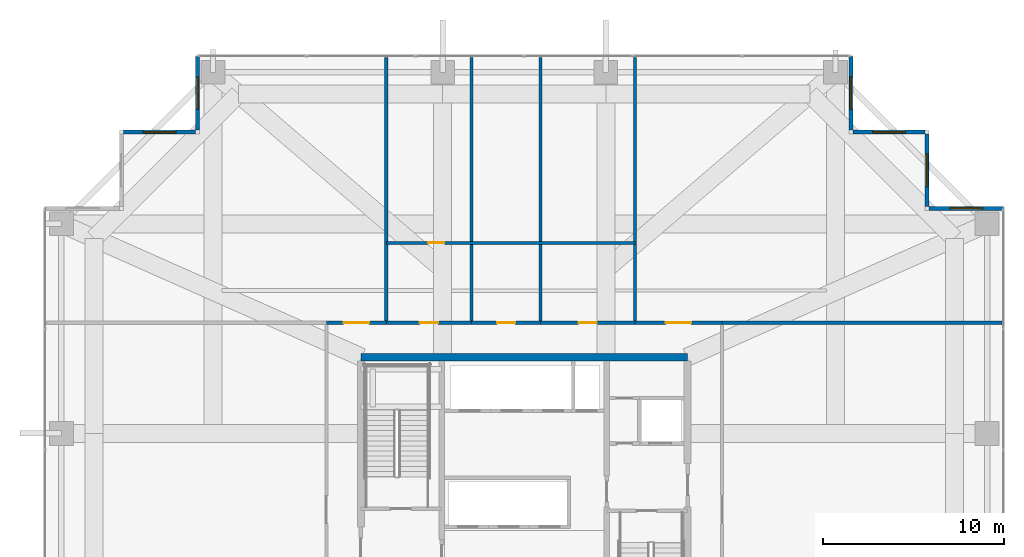
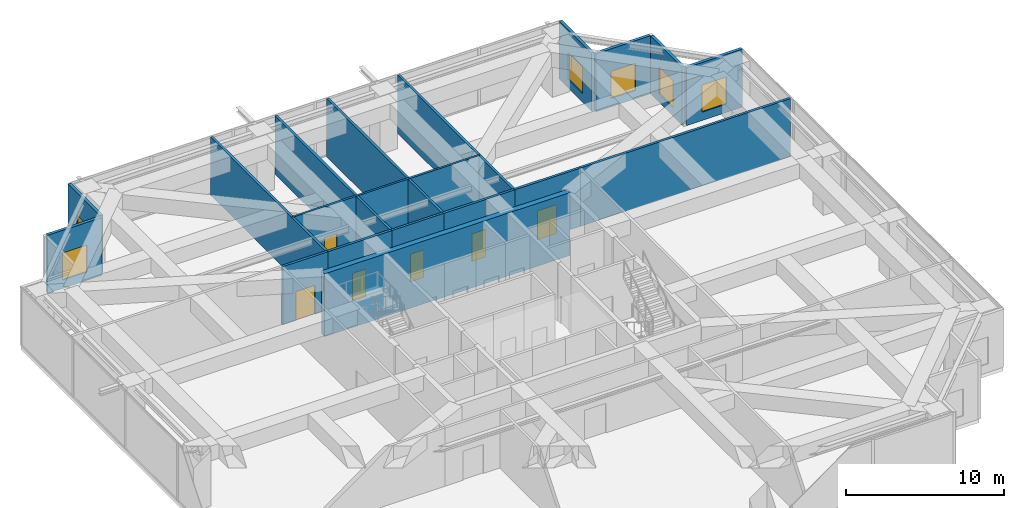
# One storey, part 30 of 35: 18 walls, 6 doors, 6 windows, 12 openings.
"""IFC4 building model written with IfcOpenShell, lengths in metres."""

from ifc_helpers import new_model, si_unit, direction, frame, frame_2d, origin, place, context, subcontext, project, spatial, rectangle, extrude, source, transform, mapped, material, layer, layer_set, type_object, element, fill, save


model = new_model("IFC4")

# Units and contexts
model_context = context("Model", 3, precision=1e-05, world=origin(), true_north=direction((0.0, 1.0)))
body_context = subcontext(model_context, "Body", "Model", "MODEL_VIEW")
ifc_project = project(units=[si_unit("LENGTHUNIT", "METRE"), si_unit("AREAUNIT", "SQUARE_METRE"), si_unit("VOLUMEUNIT", "CUBIC_METRE"), si_unit("PLANEANGLEUNIT", "RADIAN"), si_unit("MASSUNIT", "GRAM", prefix="KILO")], contexts=[model_context])

# Site, building, storey
site_placement = place(None, origin())
site = spatial("IfcSite", under=ifc_project, at=site_placement, CompositionType="ELEMENT")
building_placement = place(site_placement, origin())
building = spatial("IfcBuilding", under=site, at=building_placement, Name="Serunith Strait Residences", CompositionType="ELEMENT")
storey_placement = place(building_placement, frame((0.0, 0.0, 115.199951171875)))
storey = spatial("IfcBuildingStorey", under=building, at=storey_placement, Name="L28", CompositionType="ELEMENT", Elevation=115.199951171875)

# Wall, opening, window
ifc_material_1 = material(Name="Pale-Champagne Aluminium Insulated Panel", Category="aluminium")
ifc_layer_1 = layer(ifc_material_1, 0.219970703125, Name="Pale-Champagne Aluminium Insulated Panel")
ifc_layer_set_1 = layer_set([ifc_layer_1], Name="Pale-Champagne Aluminium Insulated Panel")
wall_type_1 = type_object("IfcWallType", Name="EW-ALUM-220", PredefinedType="ELEMENTEDWALL", material=ifc_layer_set_1)
wall_1_placement = place(storey_placement, frame((58.800048828125, 41.800048828125, 0.0), z_axis=(0.0, 0.0, 1.0), x_axis=(-1.0, 0.0, 0.0)))
wall_1 = element("IfcWall", 1, at=wall_1_placement, inside=storey, type_object=wall_type_1, Name="L28 Girih Serrated Corner Wall 07", PredefinedType="ELEMENTEDWALL", context=body_context, shape_type="SweptSolid", body=[
    extrude(rectangle(XDim=4.090087890625, YDim=0.219970703125, at=frame_2d((2.044921875, 0.0))), origin(), (0.0, 0.0, 1.0), 4.4951171875),
])
opening_1_placement = place(wall_1_placement, frame((1.14501953125, 0.0, 0.64990234375)))
opening_1 = element("IfcOpeningElement", 2, at=opening_1_placement, cuts=wall_1, Name="Opening W-01", PredefinedType="OPENING", context=body_context, shape_type="SweptSolid", body=[
    extrude(rectangle(XDim=1.800048828125, YDim=2.10009765625, at=frame_2d((0.89990234375, 1.050048828125))), frame((0.0, 0.1201171875, 0.0), z_axis=(0.0, -1.0, 0.0), x_axis=(1.0, 0.0, 0.0)), (0.0, 0.0, 1.0), 0.239990234375),
])
ifc_material_2 = material(Name="Ceramic-Fritted Operable Aluminium Window Glass", Category="aluminium")
window_type = type_object("IfcWindowType", Name="WIN-C1", PartitioningType="DOUBLE_PANEL_VERTICAL", PredefinedType="WINDOW", material=ifc_material_2)
shared_shape_1 = source(origin(), body_context, "Body", "SweptSolid", [
    extrude(rectangle(XDim=1.800048828125, YDim=2.10009765625, at=frame_2d((0.89990234375, 1.050048828125))), frame((0.0, 0.030029296875, 0.0), z_axis=(0.0, -1.0, 0.0), x_axis=(1.0, 0.0, 0.0)), (0.0, 0.0, 1.0), 0.06005859375),
])
window_1_placement = place(opening_1_placement, origin())
window_1 = element("IfcWindow", 3, at=window_1_placement, inside=storey, type_object=window_type, Name="L28 Corner Operable Fritted Window 07", OverallHeight=2.10009765625, OverallWidth=1.800048828125, PartitioningType="SINGLE_PANEL", PredefinedType="WINDOW", context=body_context, shape_type="MappedRepresentation", body=[
    mapped(shared_shape_1, transform((0.0, 0.0, 0.0), scale=1.0)),
])
fill(opening_1, window_1)

wall_2_placement = place(storey_placement, frame((54.60009765625, 41.909912109375, 0.0), z_axis=(0.0, 0.0, 1.0), x_axis=(0.0, 1.0, 0.0)))
wall_2 = element("IfcWall", 4, at=wall_2_placement, inside=storey, type_object=wall_type_1, Name="L28 Girih Serrated Corner Wall 08", PredefinedType="ELEMENTEDWALL", context=body_context, shape_type="SweptSolid", body=[
    extrude(rectangle(XDim=3.97998046875, YDim=0.219970703125, at=frame_2d((1.989990234375, 0.0))), origin(), (0.0, 0.0, 1.0), 4.4951171875),
])
opening_2_placement = place(wall_2_placement, frame((1.090087890625, 0.0, 0.64990234375)))
opening_2 = element("IfcOpeningElement", 5, at=opening_2_placement, cuts=wall_2, Name="Opening W-01", PredefinedType="OPENING", context=body_context, shape_type="SweptSolid", body=[
    extrude(rectangle(XDim=1.800048828125, YDim=2.10009765625, at=frame_2d((0.89990234375, 1.050048828125))), frame((0.0, 0.1201171875, 0.0), z_axis=(0.0, -1.0, 0.0), x_axis=(1.0, 0.0, 0.0)), (0.0, 0.0, 1.0), 0.239990234375),
])
window_2_placement = place(opening_2_placement, origin())
window_2 = element("IfcWindow", 6, at=window_2_placement, inside=storey, type_object=window_type, Name="L28 Corner Operable Fritted Window 08", OverallHeight=2.10009765625, OverallWidth=1.800048828125, PartitioningType="SINGLE_PANEL", PredefinedType="WINDOW", context=body_context, shape_type="MappedRepresentation", body=[
    mapped(shared_shape_1, transform((0.0, 0.0, 0.0), scale=1.0)),
])
fill(opening_2, window_2)

wall_3_placement = place(storey_placement, frame((54.489990234375, 46.0, 0.0), z_axis=(0.0, 0.0, 1.0), x_axis=(-1.0, 0.0, 0.0)))
wall_3 = element("IfcWall", 7, at=wall_3_placement, inside=storey, type_object=wall_type_1, Name="L28 Girih Serrated Corner Wall 09", PredefinedType="ELEMENTEDWALL", context=body_context, shape_type="SweptSolid", body=[
    extrude(rectangle(XDim=3.97998046875, YDim=0.219970703125, at=frame_2d((1.989990234375, 0.0))), origin(), (0.0, 0.0, 1.0), 4.4951171875),
])
opening_3_placement = place(wall_3_placement, frame((1.090087890625, 0.0, 0.64990234375)))
opening_3 = element("IfcOpeningElement", 8, at=opening_3_placement, cuts=wall_3, Name="Opening W-01", PredefinedType="OPENING", context=body_context, shape_type="SweptSolid", body=[
    extrude(rectangle(XDim=1.800048828125, YDim=2.10009765625, at=frame_2d((0.89990234375, 1.050048828125))), frame((0.0, 0.1201171875, 0.0), z_axis=(0.0, -1.0, 0.0), x_axis=(1.0, 0.0, 0.0)), (0.0, 0.0, 1.0), 0.239990234375),
])
window_3_placement = place(opening_3_placement, origin())
window_3 = element("IfcWindow", 9, at=window_3_placement, inside=storey, type_object=window_type, Name="L28 Corner Operable Fritted Window 09", OverallHeight=2.10009765625, OverallWidth=1.800048828125, PartitioningType="SINGLE_PANEL", PredefinedType="WINDOW", context=body_context, shape_type="MappedRepresentation", body=[
    mapped(shared_shape_1, transform((0.0, 0.0, 0.0), scale=1.0)),
])
fill(opening_3, window_3)

wall_4_placement = place(storey_placement, frame((50.39990234375, 46.110107421875, 0.0), z_axis=(0.0, 0.0, 1.0), x_axis=(0.0, 1.0, 0.0)))
wall_4 = element("IfcWall", 10, at=wall_4_placement, inside=storey, type_object=wall_type_1, Name="L28 Girih Serrated Corner Wall 10", PredefinedType="ELEMENTEDWALL", context=body_context, shape_type="SweptSolid", body=[
    extrude(rectangle(XDim=4.08984375, YDim=0.219970703125, at=frame_2d((2.044921875, 0.0))), origin(), (0.0, 0.0, 1.0), 4.4951171875),
])
opening_4_placement = place(wall_4_placement, frame((1.14501953125, 0.0, 0.64990234375)))
opening_4 = element("IfcOpeningElement", 11, at=opening_4_placement, cuts=wall_4, Name="Opening W-01", PredefinedType="OPENING", context=body_context, shape_type="SweptSolid", body=[
    extrude(rectangle(XDim=1.800048828125, YDim=2.10009765625, at=frame_2d((0.89990234375, 1.050048828125))), frame((0.0, 0.1201171875, 0.0), z_axis=(0.0, -1.0, 0.0), x_axis=(1.0, 0.0, 0.0)), (0.0, 0.0, 1.0), 0.239990234375),
])
window_4_placement = place(opening_4_placement, origin())
window_4 = element("IfcWindow", 12, at=window_4_placement, inside=storey, type_object=window_type, Name="L28 Corner Operable Fritted Window 10", OverallHeight=2.10009765625, OverallWidth=1.800048828125, PartitioningType="SINGLE_PANEL", PredefinedType="WINDOW", context=body_context, shape_type="MappedRepresentation", body=[
    mapped(shared_shape_1, transform((0.0, 0.0, 0.0), scale=1.0)),
])
fill(opening_4, window_4)

wall_5_placement = place(storey_placement, frame((14.39990234375, 50.199951171875, 0.0), z_axis=(0.0, 0.0, 1.0), x_axis=(0.0, -1.0, 0.0)))
wall_5 = element("IfcWall", 13, at=wall_5_placement, inside=storey, type_object=wall_type_1, Name="L28 Girih Serrated Corner Wall 12", PredefinedType="ELEMENTEDWALL", context=body_context, shape_type="SweptSolid", body=[
    extrude(rectangle(XDim=4.08984375, YDim=0.219970703125, at=frame_2d((2.044921875, 0.0))), origin(), (0.0, 0.0, 1.0), 4.4951171875),
])
opening_5_placement = place(wall_5_placement, frame((1.14501953125, 0.0, 0.64990234375)))
opening_5 = element("IfcOpeningElement", 14, at=opening_5_placement, cuts=wall_5, Name="Opening W-01", PredefinedType="OPENING", context=body_context, shape_type="SweptSolid", body=[
    extrude(rectangle(XDim=1.800048828125, YDim=2.10009765625, at=frame_2d((0.89990234375, 1.050048828125))), frame((0.0, 0.1201171875, 0.0), z_axis=(0.0, -1.0, 0.0), x_axis=(1.0, 0.0, 0.0)), (0.0, 0.0, 1.0), 0.239990234375),
])
window_5_placement = place(opening_5_placement, origin())
window_5 = element("IfcWindow", 15, at=window_5_placement, inside=storey, type_object=window_type, Name="L28 Corner Operable Fritted Window 12", OverallHeight=2.10009765625, OverallWidth=1.800048828125, PartitioningType="SINGLE_PANEL", PredefinedType="WINDOW", context=body_context, shape_type="MappedRepresentation", body=[
    mapped(shared_shape_1, transform((0.0, 0.0, 0.0), scale=1.0)),
])
fill(opening_5, window_5)

wall_6_placement = place(storey_placement, frame((14.2900390625, 46.0, 0.0), z_axis=(0.0, 0.0, 1.0), x_axis=(-1.0, 0.0, 0.0)))
wall_6 = element("IfcWall", 16, at=wall_6_placement, inside=storey, type_object=wall_type_1, Name="L28 Girih Serrated Corner Wall 13", PredefinedType="ELEMENTEDWALL", context=body_context, shape_type="SweptSolid", body=[
    extrude(rectangle(XDim=3.97998046875, YDim=0.219970703125, at=frame_2d((1.989990234375, 0.0))), origin(), (0.0, 0.0, 1.0), 4.4951171875),
])
opening_6_placement = place(wall_6_placement, frame((1.090087890625, 0.0, 0.64990234375)))
opening_6 = element("IfcOpeningElement", 17, at=opening_6_placement, cuts=wall_6, Name="Opening W-01", PredefinedType="OPENING", context=body_context, shape_type="SweptSolid", body=[
    extrude(rectangle(XDim=1.800048828125, YDim=2.10009765625, at=frame_2d((0.89990234375, 1.050048828125))), frame((0.0, 0.1201171875, 0.0), z_axis=(0.0, -1.0, 0.0), x_axis=(1.0, 0.0, 0.0)), (0.0, 0.0, 1.0), 0.239990234375),
])
window_6_placement = place(opening_6_placement, origin())
window_6 = element("IfcWindow", 18, at=window_6_placement, inside=storey, type_object=window_type, Name="L28 Corner Operable Fritted Window 13", OverallHeight=2.10009765625, OverallWidth=1.800048828125, PartitioningType="SINGLE_PANEL", PredefinedType="WINDOW", context=body_context, shape_type="MappedRepresentation", body=[
    mapped(shared_shape_1, transform((0.0, 0.0, 0.0), scale=1.0)),
])
fill(opening_6, window_6)

# Wall, opening, door
ifc_material_3 = material(Name="Fire-rated masonry service closet wall", Category="masonry")
ifc_layer_2 = layer(ifc_material_3, 0.14990234375, Name="Fire-rated masonry service closet wall")
ifc_layer_set_2 = layer_set([ifc_layer_2], Name="Fire-rated masonry service closet wall")
wall_type_2 = type_object("IfcWallType", Name="IW-BOH-150", PredefinedType="PARTITIONING", material=ifc_layer_set_2)
wall_7_placement = place(storey_placement, frame((24.800048828125, 39.89990234375, 0.0), z_axis=(0.0, 0.0, 1.0), x_axis=(1.0, 0.0, 0.0)))
wall_7 = element("IfcWall", 19, at=wall_7_placement, inside=storey, type_object=wall_type_2, Name="L28 Partition Wall 034", PredefinedType="PARTITIONING", context=body_context, shape_type="SweptSolid", body=[
    extrude(rectangle(XDim=13.699951171875, YDim=0.14990234375, at=frame_2d((6.85009765625, 0.0))), origin(), (0.0, 0.0, 1.0), 4.510009765625),
])
opening_7_placement = place(wall_7_placement, frame((2.303955078125, 0.0, 0.0)))
opening_7 = element("IfcOpeningElement", 20, at=opening_7_placement, cuts=wall_7, Name="Opening FD-900", PredefinedType="OPENING", context=body_context, shape_type="SweptSolid", body=[
    extrude(rectangle(XDim=0.89990234375, YDim=2.10009765625, at=frame_2d((0.449951171875, 1.050048828125))), frame((0.0, 0.0849609375, 0.0), z_axis=(0.0, -1.0, 0.0), x_axis=(1.0, 0.0, 0.0)), (0.0, 0.0, 1.0), 0.169921875),
])
ifc_material_4 = material(Name="Powder-coated steel riser door", Category="steel")
door_type_1 = type_object("IfcDoorType", Name="FD-BOH-900", OperationType="NOTDEFINED", PredefinedType="DOOR", material=ifc_material_4)
shared_shape_2 = source(origin(), body_context, "Body", "SweptSolid", [
    extrude(rectangle(XDim=0.89990234375, YDim=2.10009765625, at=frame_2d((0.449951171875, 1.050048828125))), frame((0.0, 0.02490234375, 0.0), z_axis=(0.0, -1.0, 0.0), x_axis=(1.0, 0.0, 0.0)), (0.0, 0.0, 1.0), 0.050048828125),
])
door_1_placement = place(opening_7_placement, origin())
door_1 = element("IfcDoor", 21, at=door_1_placement, inside=storey, type_object=door_type_1, Name="L28 Linen Store Door", OperationType="SINGLE_SWING_RIGHT", OverallHeight=2.10009765625, OverallWidth=0.89990234375, PredefinedType="DOOR", context=body_context, shape_type="MappedRepresentation", body=[
    mapped(shared_shape_2, transform((0.0, 0.0, 0.0), scale=1.0)),
])
fill(opening_7, door_1)

# Walls
ifc_material_5 = material(Name="Fire-rated acoustic gypsum partition")
ifc_layer_3 = layer(ifc_material_5, 0.179931640625, Name="Fire-rated acoustic gypsum partition")
ifc_layer_set_3 = layer_set([ifc_layer_3], Name="Fire-rated acoustic gypsum partition")
wall_type_3 = type_object("IfcWallType", Name="IW-CORR-180", PredefinedType="PARTITIONING", material=ifc_layer_set_3)
wall_8_placement = place(storey_placement, frame((43.300048828125, 35.5, 0.0), z_axis=(0.0, 0.0, 1.0), x_axis=(1.0, 0.0, 0.0)))
element("IfcWall", 22, at=wall_8_placement, inside=storey, type_object=wall_type_3, Name="L28 Partition Wall 017", PredefinedType="PARTITIONING", context=body_context, shape_type="SweptSolid", body=[
    extrude(rectangle(XDim=15.41796875, YDim=0.179931640625, at=frame_2d((7.708984375, 0.0))), origin(), (0.0, 0.0, 1.0), 4.510009765625),
])
for number, where, z_axis, x_axis, name in (
    (23, (24.800048828125, 35.5, 0.0), (0.0, 0.0, 1.0), (0.0, 1.0, 0.0), "L28 Partition Wall 022"),
    (24, (29.5, 35.5, 0.0), (0.0, 0.0, 1.0), (0.0, 1.0, 0.0), "L28 Partition Wall 023"),
    (25, (33.300048828125, 35.5, 0.0), (0.0, 0.0, 1.0), (0.0, 1.0, 0.0), "L28 Partition Wall 024"),
    (26, (38.5, 35.5, 0.0), (0.0, 0.0, 1.0), (0.0, 1.0, 0.0), "L28 Partition Wall 025"),
):
    element("IfcWall", number, at=place(storey_placement, frame(where, z_axis=z_axis, x_axis=x_axis)), inside=storey, type_object=wall_type_3, Name=name, PredefinedType="PARTITIONING", context=body_context, shape_type="SweptSolid", body=[
        extrude(rectangle(XDim=14.617919921875, YDim=0.179931640625, at=frame_2d((7.30908203125, 0.0))), origin(), (0.0, 0.0, 1.0), 4.510009765625),
    ])

# Wall, opening, door
wall_9_placement = place(storey_placement, frame((21.501953125, 35.5, 0.0), z_axis=(0.0, 0.0, 1.0), x_axis=(1.0, 0.0, 0.0)))
wall_9 = element("IfcWall", 27, at=wall_9_placement, inside=storey, type_object=wall_type_3, Name="L28 Partition Wall 029", PredefinedType="PARTITIONING", context=body_context, shape_type="SweptSolid", body=[
    extrude(rectangle(XDim=3.298095703125, YDim=0.179931640625, at=frame_2d((1.64892578125, 0.0))), origin(), (0.0, 0.0, 1.0), 4.510009765625),
])
opening_8_placement = place(wall_9_placement, frame((0.948974609375, 0.0, 0.0)))
opening_8 = element("IfcOpeningElement", 28, at=opening_8_placement, cuts=wall_9, Name="Opening D-POD1400", PredefinedType="OPENING", context=body_context, shape_type="SweptSolid", body=[
    extrude(rectangle(XDim=1.39990234375, YDim=2.25, at=frame_2d((0.699951171875, 1.125))), frame((0.0, 0.10009765625, 0.0), z_axis=(0.0, -1.0, 0.0), x_axis=(1.0, 0.0, 0.0)), (0.0, 0.0, 1.0), 0.199951171875),
])
ifc_material_6 = material(Name="Pale-champagne aluminium glazed suite door", Category="aluminium")
door_type_2 = type_object("IfcDoorType", Name="ID-POD-1400", OperationType="DOUBLE_DOOR_SINGLE_SWING", PredefinedType="DOOR", material=ifc_material_6)
shared_shape_3 = source(origin(), body_context, "Body", "SweptSolid", [
    extrude(rectangle(XDim=1.39990234375, YDim=2.25, at=frame_2d((0.699951171875, 1.125))), frame((0.0, 0.02490234375, 0.0), z_axis=(0.0, -1.0, 0.0), x_axis=(1.0, 0.0, 0.0)), (0.0, 0.0, 1.0), 0.050048828125),
])
door_2_placement = place(opening_8_placement, origin())
door_2 = element("IfcDoor", 29, at=door_2_placement, inside=storey, type_object=door_type_2, Name="L28 North-West Room Door", OperationType="DOUBLE_DOOR_SINGLE_SWING", OverallHeight=2.25, OverallWidth=1.39990234375, PredefinedType="DOOR", context=body_context, shape_type="MappedRepresentation", body=[
    mapped(shared_shape_3, transform((0.0, 0.0, 0.0), scale=1.0)),
])
fill(opening_8, door_2)

wall_10_placement = place(storey_placement, frame((24.802001953125, 35.5, 0.0), z_axis=(0.0, 0.0, 1.0), x_axis=(1.0, 0.0, 0.0)))
wall_10 = element("IfcWall", 30, at=wall_10_placement, inside=storey, type_object=wall_type_3, Name="L28 Partition Wall 030", PredefinedType="PARTITIONING", context=body_context, shape_type="SweptSolid", body=[
    extrude(rectangle(XDim=4.697998046875, YDim=0.179931640625, at=frame_2d((2.34912109375, 0.0))), origin(), (0.0, 0.0, 1.0), 4.510009765625),
])
opening_9_placement = place(wall_10_placement, frame((1.84912109375, 0.0, 0.0)))
opening_9 = element("IfcOpeningElement", 31, at=opening_9_placement, cuts=wall_10, Name="Opening D-APT1000", PredefinedType="OPENING", context=body_context, shape_type="SweptSolid", body=[
    extrude(rectangle(XDim=1.0, YDim=2.14990234375, at=frame_2d((0.5, 1.074951171875))), frame((0.0, 0.10009765625, 0.0), z_axis=(0.0, -1.0, 0.0), x_axis=(1.0, 0.0, 0.0)), (0.0, 0.0, 1.0), 0.199951171875),
])
ifc_material_7 = material(Name="Solid timber engineered fire door", Category="wood")
door_type_3 = type_object("IfcDoorType", Name="ID-APT-1000", OperationType="NOTDEFINED", PredefinedType="DOOR", material=ifc_material_7)
shared_shape_4 = source(origin(), body_context, "Body", "SweptSolid", [
    extrude(rectangle(XDim=1.0, YDim=2.14990234375, at=frame_2d((0.5, 1.074951171875))), frame((0.0, 0.02490234375, 0.0), z_axis=(0.0, -1.0, 0.0), x_axis=(1.0, 0.0, 0.0)), (0.0, 0.0, 1.0), 0.050048828125),
])
door_3_placement = place(opening_9_placement, origin())
door_3 = element("IfcDoor", 32, at=door_3_placement, inside=storey, type_object=door_type_3, Name="L28 Accessible WC Door", OperationType="SINGLE_SWING_RIGHT", OverallHeight=2.14990234375, OverallWidth=1.0, PredefinedType="DOOR", context=body_context, shape_type="MappedRepresentation", body=[
    mapped(shared_shape_4, transform((0.0, 0.0, 0.0), scale=1.0)),
])
fill(opening_9, door_3)

wall_11_placement = place(storey_placement, frame((29.501953125, 35.5, 0.0), z_axis=(0.0, 0.0, 1.0), x_axis=(1.0, 0.0, 0.0)))
wall_11 = element("IfcWall", 33, at=wall_11_placement, inside=storey, type_object=wall_type_3, Name="L28 Partition Wall 031", PredefinedType="PARTITIONING", context=body_context, shape_type="SweptSolid", body=[
    extrude(rectangle(XDim=3.798095703125, YDim=0.179931640625, at=frame_2d((1.89892578125, 0.0))), origin(), (0.0, 0.0, 1.0), 4.510009765625),
])
opening_10_placement = place(wall_11_placement, frame((1.39892578125, 0.0, 0.0)))
opening_10 = element("IfcOpeningElement", 34, at=opening_10_placement, cuts=wall_11, Name="Opening D-APT1000", PredefinedType="OPENING", context=body_context, shape_type="SweptSolid", body=[
    extrude(rectangle(XDim=1.0, YDim=2.14990234375, at=frame_2d((0.5, 1.074951171875))), frame((0.0, 0.10009765625, 0.0), z_axis=(0.0, -1.0, 0.0), x_axis=(1.0, 0.0, 0.0)), (0.0, 0.0, 1.0), 0.199951171875),
])
door_4_placement = place(opening_10_placement, origin())
door_4 = element("IfcDoor", 35, at=door_4_placement, inside=storey, type_object=door_type_3, Name="L28 Public Male WC Door", OperationType="SINGLE_SWING_LEFT", OverallHeight=2.14990234375, OverallWidth=1.0, PredefinedType="DOOR", context=body_context, shape_type="MappedRepresentation", body=[
    mapped(shared_shape_4, transform((0.0, 0.0, 0.0), scale=1.0)),
])
fill(opening_10, door_4)

wall_12_placement = place(storey_placement, frame((33.302001953125, 35.5, 0.0), z_axis=(0.0, 0.0, 1.0), x_axis=(1.0, 0.0, 0.0)))
wall_12 = element("IfcWall", 36, at=wall_12_placement, inside=storey, type_object=wall_type_3, Name="L28 Partition Wall 032", PredefinedType="PARTITIONING", context=body_context, shape_type="SweptSolid", body=[
    extrude(rectangle(XDim=5.197998046875, YDim=0.179931640625, at=frame_2d((2.59912109375, 0.0))), origin(), (0.0, 0.0, 1.0), 4.510009765625),
])
opening_11_placement = place(wall_12_placement, frame((2.09912109375, 0.0, 0.0)))
opening_11 = element("IfcOpeningElement", 37, at=opening_11_placement, cuts=wall_12, Name="Opening D-APT1000", PredefinedType="OPENING", context=body_context, shape_type="SweptSolid", body=[
    extrude(rectangle(XDim=1.0, YDim=2.14990234375, at=frame_2d((0.5, 1.074951171875))), frame((0.0, 0.10009765625, 0.0), z_axis=(0.0, -1.0, 0.0), x_axis=(1.0, 0.0, 0.0)), (0.0, 0.0, 1.0), 0.199951171875),
])
door_5_placement = place(opening_11_placement, origin())
door_5 = element("IfcDoor", 38, at=door_5_placement, inside=storey, type_object=door_type_3, Name="L28 Public Female WC Door", OperationType="SINGLE_SWING_RIGHT", OverallHeight=2.14990234375, OverallWidth=1.0, PredefinedType="DOOR", context=body_context, shape_type="MappedRepresentation", body=[
    mapped(shared_shape_4, transform((0.0, 0.0, 0.0), scale=1.0)),
])
fill(opening_11, door_5)

wall_13_placement = place(storey_placement, frame((38.501953125, 35.5, 0.0), z_axis=(0.0, 0.0, 1.0), x_axis=(1.0, 0.0, 0.0)))
wall_13 = element("IfcWall", 39, at=wall_13_placement, inside=storey, type_object=wall_type_3, Name="L28 Partition Wall 033", PredefinedType="PARTITIONING", context=body_context, shape_type="SweptSolid", body=[
    extrude(rectangle(XDim=4.796142578125, YDim=0.179931640625, at=frame_2d((2.39794921875, 0.0))), origin(), (0.0, 0.0, 1.0), 4.510009765625),
])
opening_12_placement = place(wall_13_placement, frame((1.697998046875, 0.0, 0.0)))
opening_12 = element("IfcOpeningElement", 40, at=opening_12_placement, cuts=wall_13, Name="Opening D-POD1400", PredefinedType="OPENING", context=body_context, shape_type="SweptSolid", body=[
    extrude(rectangle(XDim=1.39990234375, YDim=2.25, at=frame_2d((0.699951171875, 1.125))), frame((0.0, 0.10009765625, 0.0), z_axis=(0.0, -1.0, 0.0), x_axis=(1.0, 0.0, 0.0)), (0.0, 0.0, 1.0), 0.199951171875),
])
door_6_placement = place(opening_12_placement, origin())
door_6 = element("IfcDoor", 41, at=door_6_placement, inside=storey, type_object=door_type_2, Name="L28 North-East Room Door", OperationType="DOUBLE_DOOR_SINGLE_SWING", OverallHeight=2.25, OverallWidth=1.39990234375, PredefinedType="DOOR", context=body_context, shape_type="MappedRepresentation", body=[
    mapped(shared_shape_3, transform((0.0, 0.0, 0.0), scale=1.0)),
])
fill(opening_12, door_6)

# Wall
ifc_material_8 = material(Name="Concrete C70/85", Category="concrete")
ifc_layer_4 = layer(ifc_material_8, 0.39990234375, Name="Concrete C70/85")
ifc_layer_set_4 = layer_set([ifc_layer_4], Name="Concrete C70/85")
wall_type_4 = type_object("IfcWallType", Name="SW-400-C70", PredefinedType="SHEAR", material=ifc_layer_set_4)
wall_14_placement = place(storey_placement, frame((41.39990234375, 33.60009765625, -0.35986328125), z_axis=(0.0, 0.0, 1.0), x_axis=(-1.0, 0.0, 0.0)))
element("IfcWall", 42, at=wall_14_placement, inside=storey, type_object=wall_type_4, Name="L28 Core North Shear Wall", PredefinedType="SHEAR", context=body_context, shape_type="SweptSolid", body=[
    extrude(rectangle(XDim=18.0, YDim=0.39990234375, at=frame_2d((9.0, 0.0))), origin(), (0.0, 0.0, 1.0), 4.867919921875),
])

save(model, "model.ifc")
